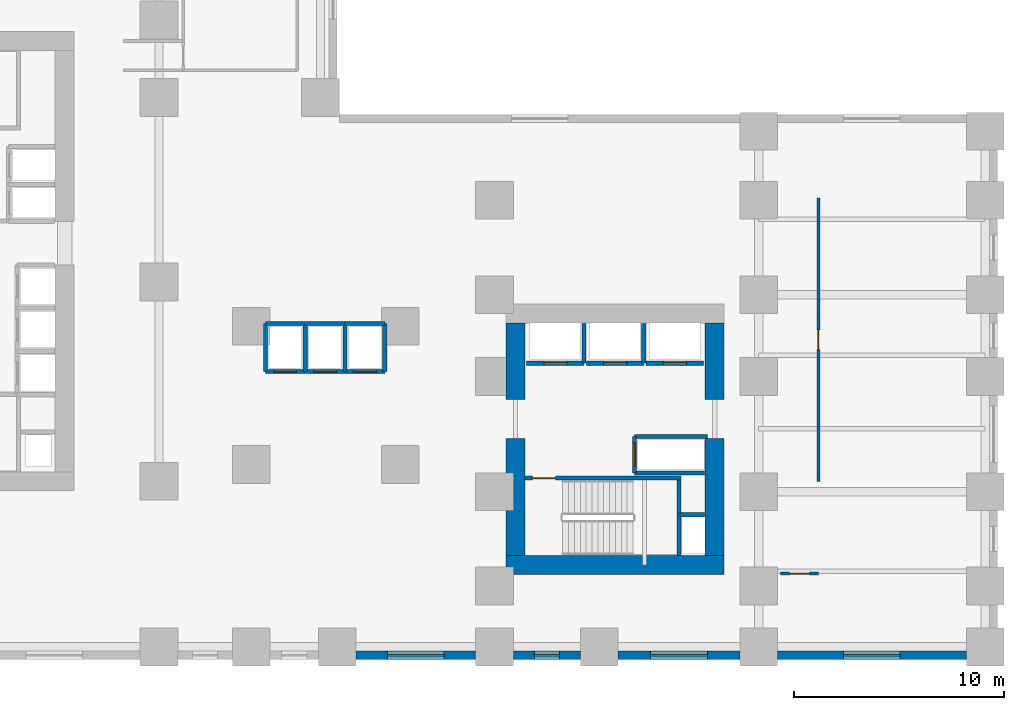
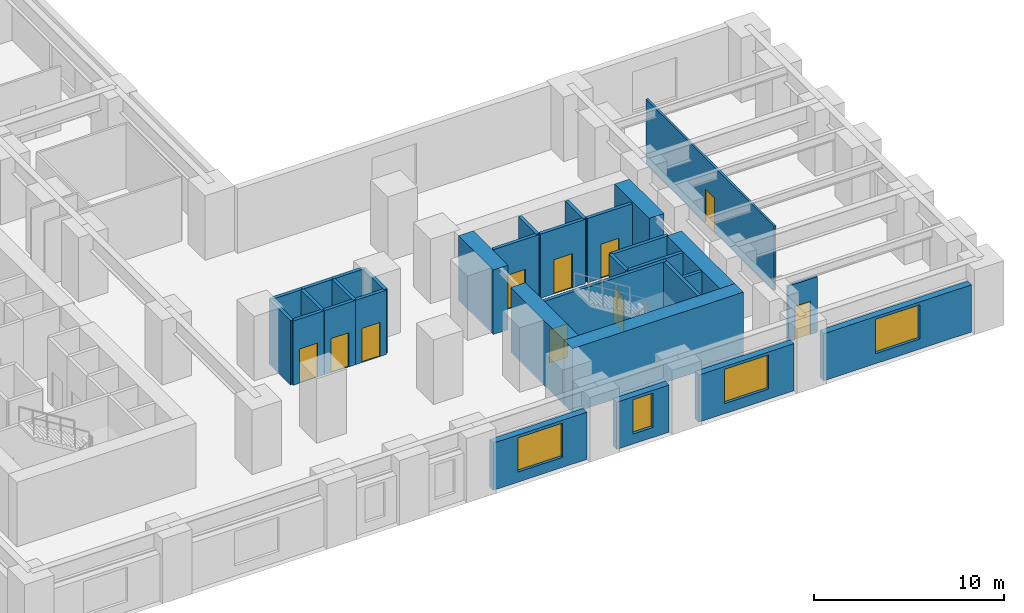
# One storey, part 6 of 11: 32 walls, 10 doors, 4 windows, 14 openings.
"""IFC4 building model written with IfcOpenShell, lengths in metres."""

from ifc_helpers import new_model, si_unit, direction, frame, frame_2d, origin, place, context, subcontext, project, spatial, rectangle, extrude, source, transform, mapped, material, layer, layer_set, type_object, element, fill, save


model = new_model("IFC4")

# Units and contexts
model_context = context("Model", 3, precision=1e-05, world=origin(), true_north=direction((0.0, 1.0)))
body_context = subcontext(model_context, "Body", "Model", "MODEL_VIEW")
ifc_project = project(units=[si_unit("LENGTHUNIT", "METRE"), si_unit("AREAUNIT", "SQUARE_METRE"), si_unit("VOLUMEUNIT", "CUBIC_METRE"), si_unit("PLANEANGLEUNIT", "RADIAN"), si_unit("MASSUNIT", "GRAM", prefix="KILO")], contexts=[model_context])

# Site, building, storey
site_placement = place(None, origin())
site = spatial("IfcSite", under=ifc_project, at=site_placement, CompositionType="ELEMENT")
building_placement = place(site_placement, origin())
building = spatial("IfcBuilding", under=site, at=building_placement, Name="Kharzan Plaza Tower", CompositionType="ELEMENT")
storey_placement = place(building_placement, frame((0.0, 0.0, 13.5)))
storey = spatial("IfcBuildingStorey", under=building, at=storey_placement, Name="L03", CompositionType="ELEMENT", Elevation=13.5)

# Wall, opening, door
ifc_material_1 = material(Name="Fire-Rated Gypsum Board Partition", Category="gypsum")
ifc_layer_1 = layer(ifc_material_1, 0.125)
ifc_layer_set_1 = layer_set([ifc_layer_1], Name="Fire-Rated Gypsum Board Partition")
wall_type_1 = type_object("IfcWallType", Name="WL-INT-PART-125", PredefinedType="PARTITIONING", material=ifc_layer_set_1)
wall_1_placement = place(storey_placement, frame((50.449951171875, 8.5, 0.0), z_axis=(0.0, 0.0, 1.0), x_axis=(0.0, 1.0, 0.0)))
wall_1 = element("IfcWall", 1, at=wall_1_placement, inside=storey, type_object=wall_type_1, Name="L03 Interior Partition L03-W2", PredefinedType="PARTITIONING", context=body_context, shape_type="SweptSolid", body=[
    extrude(rectangle(XDim=13.5, YDim=0.125, at=frame_2d((6.75, 0.0))), origin(), (0.0, 0.0, 1.0), 4.135009765625),
])
opening_1_placement = place(wall_1_placement, frame((6.27490234375, 0.0, 0.0)))
opening_1 = element("IfcOpeningElement", 2, at=opening_1_placement, cuts=wall_1, Name="Opening OD1", PredefinedType="OPENING", context=body_context, shape_type="SweptSolid", body=[
    extrude(rectangle(XDim=0.949951171875, YDim=2.14990234375, at=frame_2d((0.47509765625, 1.074951171875))), frame((0.0, 0.072509765625, 0.0), z_axis=(0.0, -1.0, 0.0), x_axis=(1.0, 0.0, 0.0)), (0.0, 0.0, 1.0), 0.14501953125),
])
ifc_material_2 = material(Name="Acoustic Solid-Core Stained Oak", Category="timber")
door_type_1 = type_object("IfcDoorType", Name="DR-OFF-SINGLE", OperationType="NOTDEFINED", PredefinedType="DOOR", material=ifc_material_2)
shared_shape_1 = source(origin(), body_context, "Body", "SweptSolid", [
    extrude(rectangle(XDim=0.949951171875, YDim=2.14990234375, at=frame_2d((0.47509765625, 1.074951171875))), frame((0.0, 0.02490234375, 0.0), z_axis=(0.0, -1.0, 0.0), x_axis=(1.0, 0.0, 0.0)), (0.0, 0.0, 1.0), 0.050048828125),
])
door_1_placement = place(opening_1_placement, origin())
door_1 = element("IfcDoor", 3, at=door_1_placement, inside=storey, type_object=door_type_1, Name="L03 Training Academy Door", OperationType="SINGLE_SWING_LEFT", OverallHeight=2.14990234375, OverallWidth=0.949951171875, PredefinedType="DOOR", context=body_context, shape_type="MappedRepresentation", body=[
    mapped(shared_shape_1, transform((0.0, 0.0, 0.0), x_axis=(1.0, 0.0, 0.0), y_axis=(0.0, 1.0, 0.0), z_axis=(0.0, 0.0, 1.0))),
])
fill(opening_1, door_1)

wall_2_placement = place(storey_placement, frame((48.64990234375, 4.10009765625, 0.0), z_axis=(0.0, 0.0, 1.0), x_axis=(1.0, 0.0, 0.0)))
wall_2 = element("IfcWall", 4, at=wall_2_placement, inside=storey, type_object=wall_type_1, Name="L03 Interior Partition L03-WS3", PredefinedType="PARTITIONING", context=body_context, shape_type="SweptSolid", body=[
    extrude(rectangle(XDim=1.800048828125, YDim=0.125, at=frame_2d((0.89990234375, 0.0))), origin(), (0.0, 0.0, 1.0), 3.5859375),
])
opening_2_placement = place(wall_2_placement, frame((0.425048828125, 0.0, 0.0)))
opening_2 = element("IfcOpeningElement", 5, at=opening_2_placement, cuts=wall_2, Name="Opening OD1", PredefinedType="OPENING", context=body_context, shape_type="SweptSolid", body=[
    extrude(rectangle(XDim=0.949951171875, YDim=2.14990234375, at=frame_2d((0.47509765625, 1.074951171875))), frame((0.0, 0.072509765625, 0.0), z_axis=(0.0, -1.0, 0.0), x_axis=(1.0, 0.0, 0.0)), (0.0, 0.0, 1.0), 0.14501953125),
])
door_2_placement = place(opening_2_placement, origin())
door_2 = element("IfcDoor", 6, at=door_2_placement, inside=storey, type_object=door_type_1, Name="L03 Breakout Seminar Door", OperationType="SINGLE_SWING_RIGHT", OverallHeight=2.14990234375, OverallWidth=0.949951171875, PredefinedType="DOOR", context=body_context, shape_type="MappedRepresentation", body=[
    mapped(shared_shape_1, transform((0.0, 0.0, 0.0), x_axis=(1.0, 0.0, 0.0), y_axis=(0.0, 1.0, 0.0), z_axis=(0.0, 0.0, 1.0))),
])
fill(opening_2, door_2)

ifc_material_3 = material(Name="Concrete C40/50", Category="concrete")
ifc_layer_2 = layer(ifc_material_3, 0.199951171875)
ifc_layer_set_2 = layer_set([ifc_layer_2], Name="Concrete C40/50")
wall_type_2 = type_object("IfcWallType", Name="WL-INT-SHAFT-200", PredefinedType="PARTITIONING", material=ifc_layer_set_2)
wall_3_placement = place(storey_placement, frame((36.530029296875, 14.1298828125, 0.0), z_axis=(0.0, 0.0, 1.0), x_axis=(1.0, 0.0, 0.0)))
wall_3 = element("IfcWall", 7, at=wall_3_placement, inside=storey, type_object=wall_type_2, Name="L03 Interior Partition SHF-PL-L1-S", PredefinedType="PARTITIONING", context=body_context, shape_type="SweptSolid", body=[
    extrude(rectangle(XDim=2.739990234375, YDim=0.199951171875, at=frame_2d((1.3701171875, 0.0))), origin(), (0.0, 0.0, 1.0), 4.135009765625),
])
opening_3_placement = place(wall_3_placement, frame((0.820068359375, 0.0, 0.0)))
opening_3 = element("IfcOpeningElement", 8, at=opening_3_placement, cuts=wall_3, Name="Opening LD", PredefinedType="OPENING", context=body_context, shape_type="SweptSolid", body=[
    extrude(rectangle(XDim=1.10009765625, YDim=2.199951171875, at=frame_2d((0.550048828125, 1.10009765625))), frame((0.0, 0.10986328125, 0.0), z_axis=(0.0, -1.0, 0.0), x_axis=(1.0, 0.0, 0.0)), (0.0, 0.0, 1.0), 0.219970703125),
])
ifc_material_4 = material(Name="Brushed Stainless Steel", Category="steel")
door_type_2 = type_object("IfcDoorType", Name="DR-LIFT-SLIDE", OperationType="SLIDING_TO_LEFT", PredefinedType="DOOR", material=ifc_material_4)
shared_shape_2 = source(origin(), body_context, "Body", "SweptSolid", [
    extrude(rectangle(XDim=1.10009765625, YDim=2.199951171875, at=frame_2d((0.550048828125, 1.10009765625))), frame((0.0, 0.02490234375, 0.0), z_axis=(0.0, -1.0, 0.0), x_axis=(1.0, 0.0, 0.0)), (0.0, 0.0, 1.0), 0.050048828125),
])
door_3_placement = place(opening_3_placement, origin())
door_3 = element("IfcDoor", 9, at=door_3_placement, inside=storey, type_object=door_type_2, Name="L03 Low-Rise Passenger Lift PL-L1 Sliding Landing Door", OperationType="SLIDING_TO_LEFT", OverallHeight=2.199951171875, OverallWidth=1.10009765625, PredefinedType="DOOR", context=body_context, shape_type="MappedRepresentation", body=[
    mapped(shared_shape_2, transform((0.0, 0.0, 0.0), x_axis=(1.0, 0.0, 0.0), y_axis=(0.0, 1.0, 0.0), z_axis=(0.0, 0.0, 1.0))),
])
fill(opening_3, door_3)

wall_4_placement = place(storey_placement, frame((39.3798828125, 14.1298828125, 0.0), z_axis=(0.0, 0.0, 1.0), x_axis=(1.0, 0.0, 0.0)))
wall_4 = element("IfcWall", 10, at=wall_4_placement, inside=storey, type_object=wall_type_2, Name="L03 Interior Partition SHF-PL-L2-S", PredefinedType="PARTITIONING", context=body_context, shape_type="SweptSolid", body=[
    extrude(rectangle(XDim=2.740234375, YDim=0.199951171875, at=frame_2d((1.3701171875, 0.0))), origin(), (0.0, 0.0, 1.0), 4.135009765625),
])
opening_4_placement = place(wall_4_placement, frame((0.820068359375, 0.0, 0.0)))
opening_4 = element("IfcOpeningElement", 11, at=opening_4_placement, cuts=wall_4, Name="Opening LD", PredefinedType="OPENING", context=body_context, shape_type="SweptSolid", body=[
    extrude(rectangle(XDim=1.10009765625, YDim=2.199951171875, at=frame_2d((0.550048828125, 1.10009765625))), frame((0.0, 0.10986328125, 0.0), z_axis=(0.0, -1.0, 0.0), x_axis=(1.0, 0.0, 0.0)), (0.0, 0.0, 1.0), 0.219970703125),
])
door_4_placement = place(opening_4_placement, origin())
door_4 = element("IfcDoor", 12, at=door_4_placement, inside=storey, type_object=door_type_2, Name="L03 Low-Rise Passenger Lift PL-L2 Sliding Landing Door", OperationType="SLIDING_TO_LEFT", OverallHeight=2.199951171875, OverallWidth=1.10009765625, PredefinedType="DOOR", context=body_context, shape_type="MappedRepresentation", body=[
    mapped(shared_shape_2, transform((0.0, 0.0, 0.0), x_axis=(1.0, 0.0, 0.0), y_axis=(0.0, 1.0, 0.0), z_axis=(0.0, 0.0, 1.0))),
])
fill(opening_4, door_4)

wall_5_placement = place(storey_placement, frame((42.22998046875, 14.1298828125, 0.0), z_axis=(0.0, 0.0, 1.0), x_axis=(1.0, 0.0, 0.0)))
wall_5 = element("IfcWall", 13, at=wall_5_placement, inside=storey, type_object=wall_type_2, Name="L03 Interior Partition SHF-PL-L3-S", PredefinedType="PARTITIONING", context=body_context, shape_type="SweptSolid", body=[
    extrude(rectangle(XDim=2.739990234375, YDim=0.199951171875, at=frame_2d((1.3701171875, 0.0))), origin(), (0.0, 0.0, 1.0), 4.135009765625),
])
opening_5_placement = place(wall_5_placement, frame((0.820068359375, 0.0, 0.0)))
opening_5 = element("IfcOpeningElement", 14, at=opening_5_placement, cuts=wall_5, Name="Opening LD", PredefinedType="OPENING", context=body_context, shape_type="SweptSolid", body=[
    extrude(rectangle(XDim=1.10009765625, YDim=2.199951171875, at=frame_2d((0.550048828125, 1.10009765625))), frame((0.0, 0.10986328125, 0.0), z_axis=(0.0, -1.0, 0.0), x_axis=(1.0, 0.0, 0.0)), (0.0, 0.0, 1.0), 0.219970703125),
])
door_5_placement = place(opening_5_placement, origin())
door_5 = element("IfcDoor", 15, at=door_5_placement, inside=storey, type_object=door_type_2, Name="L03 Low-Rise Passenger Lift PL-L3 Sliding Landing Door", OperationType="SLIDING_TO_LEFT", OverallHeight=2.199951171875, OverallWidth=1.10009765625, PredefinedType="DOOR", context=body_context, shape_type="MappedRepresentation", body=[
    mapped(shared_shape_2, transform((0.0, 0.0, 0.0), x_axis=(1.0, 0.0, 0.0), y_axis=(0.0, 1.0, 0.0), z_axis=(0.0, 0.0, 1.0))),
])
fill(opening_5, door_5)

wall_6_placement = place(storey_placement, frame((24.080078125, 13.72998046875, 0.0), z_axis=(0.0, 0.0, 1.0), x_axis=(1.0, 0.0, 0.0)))
wall_6 = element("IfcWall", 16, at=wall_6_placement, inside=storey, type_object=wall_type_2, Name="L03 Interior Partition SHF-PL-M1-S", PredefinedType="PARTITIONING", context=body_context, shape_type="SweptSolid", body=[
    extrude(rectangle(XDim=1.889892578125, YDim=0.199951171875, at=frame_2d((0.94482421875, 0.0))), origin(), (0.0, 0.0, 1.0), 4.135009765625),
])
opening_6_placement = place(wall_6_placement, frame((0.39501953125, 0.0, 0.0)))
opening_6 = element("IfcOpeningElement", 17, at=opening_6_placement, cuts=wall_6, Name="Opening LD", PredefinedType="OPENING", context=body_context, shape_type="SweptSolid", body=[
    extrude(rectangle(XDim=1.10009765625, YDim=2.199951171875, at=frame_2d((0.550048828125, 1.10009765625))), frame((0.0, 0.10986328125, 0.0), z_axis=(0.0, -1.0, 0.0), x_axis=(1.0, 0.0, 0.0)), (0.0, 0.0, 1.0), 0.219970703125),
])
door_6_placement = place(opening_6_placement, origin())
door_6 = element("IfcDoor", 18, at=door_6_placement, inside=storey, type_object=door_type_2, Name="L03 Mid-Rise Passenger Lift PL-M1 Sliding Landing Door", OperationType="SLIDING_TO_LEFT", OverallHeight=2.199951171875, OverallWidth=1.10009765625, PredefinedType="DOOR", context=body_context, shape_type="MappedRepresentation", body=[
    mapped(shared_shape_2, transform((0.0, 0.0, 0.0), x_axis=(1.0, 0.0, 0.0), y_axis=(0.0, 1.0, 0.0), z_axis=(0.0, 0.0, 1.0))),
])
fill(opening_6, door_6)

wall_7_placement = place(storey_placement, frame((25.97998046875, 13.72998046875, 0.0), z_axis=(0.0, 0.0, 1.0), x_axis=(1.0, 0.0, 0.0)))
wall_7 = element("IfcWall", 19, at=wall_7_placement, inside=storey, type_object=wall_type_2, Name="L03 Interior Partition SHF-PL-M2-S", PredefinedType="PARTITIONING", context=body_context, shape_type="SweptSolid", body=[
    extrude(rectangle(XDim=1.89013671875, YDim=0.199951171875, at=frame_2d((0.945068359375, 0.0))), origin(), (0.0, 0.0, 1.0), 4.135009765625),
])
opening_7_placement = place(wall_7_placement, frame((0.39501953125, 0.0, 0.0)))
opening_7 = element("IfcOpeningElement", 20, at=opening_7_placement, cuts=wall_7, Name="Opening LD", PredefinedType="OPENING", context=body_context, shape_type="SweptSolid", body=[
    extrude(rectangle(XDim=1.10009765625, YDim=2.199951171875, at=frame_2d((0.550048828125, 1.10009765625))), frame((0.0, 0.10986328125, 0.0), z_axis=(0.0, -1.0, 0.0), x_axis=(1.0, 0.0, 0.0)), (0.0, 0.0, 1.0), 0.219970703125),
])
door_7_placement = place(opening_7_placement, origin())
door_7 = element("IfcDoor", 21, at=door_7_placement, inside=storey, type_object=door_type_2, Name="L03 Mid-Rise Passenger Lift PL-M2 Sliding Landing Door", OperationType="SLIDING_TO_LEFT", OverallHeight=2.199951171875, OverallWidth=1.10009765625, PredefinedType="DOOR", context=body_context, shape_type="MappedRepresentation", body=[
    mapped(shared_shape_2, transform((0.0, 0.0, 0.0), x_axis=(1.0, 0.0, 0.0), y_axis=(0.0, 1.0, 0.0), z_axis=(0.0, 0.0, 1.0))),
])
fill(opening_7, door_7)

wall_8_placement = place(storey_placement, frame((27.8798828125, 13.72998046875, 0.0), z_axis=(0.0, 0.0, 1.0), x_axis=(1.0, 0.0, 0.0)))
wall_8 = element("IfcWall", 22, at=wall_8_placement, inside=storey, type_object=wall_type_2, Name="L03 Interior Partition SHF-PL-M3-S", PredefinedType="PARTITIONING", context=body_context, shape_type="SweptSolid", body=[
    extrude(rectangle(XDim=1.89013671875, YDim=0.199951171875, at=frame_2d((0.945068359375, 0.0))), origin(), (0.0, 0.0, 1.0), 4.135009765625),
])
opening_8_placement = place(wall_8_placement, frame((0.39501953125, 0.0, 0.0)))
opening_8 = element("IfcOpeningElement", 23, at=opening_8_placement, cuts=wall_8, Name="Opening LD", PredefinedType="OPENING", context=body_context, shape_type="SweptSolid", body=[
    extrude(rectangle(XDim=1.10009765625, YDim=2.199951171875, at=frame_2d((0.550048828125, 1.10009765625))), frame((0.0, 0.10986328125, 0.0), z_axis=(0.0, -1.0, 0.0), x_axis=(1.0, 0.0, 0.0)), (0.0, 0.0, 1.0), 0.219970703125),
])
door_8_placement = place(opening_8_placement, origin())
door_8 = element("IfcDoor", 24, at=door_8_placement, inside=storey, type_object=door_type_2, Name="L03 Mid-Rise Passenger Lift PL-M3 Sliding Landing Door", OperationType="SLIDING_TO_LEFT", OverallHeight=2.199951171875, OverallWidth=1.10009765625, PredefinedType="DOOR", context=body_context, shape_type="MappedRepresentation", body=[
    mapped(shared_shape_2, transform((0.0, 0.0, 0.0), x_axis=(1.0, 0.0, 0.0), y_axis=(0.0, 1.0, 0.0), z_axis=(0.0, 0.0, 1.0))),
])
fill(opening_8, door_8)

wall_9_placement = place(storey_placement, frame((41.679931640625, 8.89990234375, 0.0), z_axis=(0.0, 0.0, 1.0), x_axis=(0.0, 1.0, 0.0)))
wall_9 = element("IfcWall", 25, at=wall_9_placement, inside=storey, type_object=wall_type_2, Name="L03 Interior Partition SHF-SVL-2-W", PredefinedType="PARTITIONING", context=body_context, shape_type="SweptSolid", body=[
    extrude(rectangle(XDim=1.739990234375, YDim=0.199951171875, at=frame_2d((0.8701171875, 0.0))), origin(), (0.0, 0.0, 1.0), 4.135009765625),
])
opening_9_placement = place(wall_9_placement, frame((0.320068359375, 0.0, 0.0)))
opening_9 = element("IfcOpeningElement", 26, at=opening_9_placement, cuts=wall_9, Name="Opening LD", PredefinedType="OPENING", context=body_context, shape_type="SweptSolid", body=[
    extrude(rectangle(XDim=1.10009765625, YDim=2.199951171875, at=frame_2d((0.550048828125, 1.10009765625))), frame((0.0, 0.10986328125, 0.0), z_axis=(0.0, -1.0, 0.0), x_axis=(1.0, 0.0, 0.0)), (0.0, 0.0, 1.0), 0.219970703125),
])
door_9_placement = place(opening_9_placement, origin())
door_9 = element("IfcDoor", 27, at=door_9_placement, inside=storey, type_object=door_type_2, Name="L03 Service Lift SVL-2 Sliding Landing Door", OperationType="SLIDING_TO_LEFT", OverallHeight=2.199951171875, OverallWidth=1.10009765625, PredefinedType="DOOR", context=body_context, shape_type="MappedRepresentation", body=[
    mapped(shared_shape_2, transform((0.0, 0.0, 0.0), x_axis=(1.0, 0.0, 0.0), y_axis=(0.0, 1.0, 0.0), z_axis=(0.0, 0.0, 1.0))),
])
fill(opening_9, door_9)

# Wall, opening, window
ifc_layer_3 = layer(ifc_material_3, 0.39990234375)
ifc_layer_set_3 = layer_set([ifc_layer_3], Name="Concrete C40/50")
wall_type_3 = type_object("IfcWallType", Name="WL-POD-MAS-400", PredefinedType="SOLIDWALL", material=ifc_layer_set_3)
wall_10_placement = place(storey_placement, frame((28.39794921875, 0.199951171875, 0.0), z_axis=(0.0, 0.0, 1.0), x_axis=(1.0, 0.0, 0.0)))
wall_10 = element("IfcWall", 28, at=wall_10_placement, inside=storey, type_object=wall_type_3, Name="L03 Masonry-Frame Exterior Wall 20", PredefinedType="SOLIDWALL", context=body_context, shape_type="SweptSolid", body=[
    extrude(rectangle(XDim=5.7041015625, YDim=0.39990234375, at=frame_2d((2.85205078125, 0.0))), origin(), (0.0, 0.0, 1.0), 3.034912109375),
])
opening_10_placement = place(wall_10_placement, frame((1.501953125, 0.0, 0.64990234375)))
opening_10 = element("IfcOpeningElement", 29, at=opening_10_placement, cuts=wall_10, Name="Opening W4", PredefinedType="OPENING", context=body_context, shape_type="SweptSolid", body=[
    extrude(rectangle(XDim=2.699951171875, YDim=2.205078125, at=frame_2d((1.35009765625, 1.1025390625))), frame((0.0, 0.2099609375, 0.0), z_axis=(0.0, -1.0, 0.0), x_axis=(1.0, 0.0, 0.0)), (0.0, 0.0, 1.0), 0.419921875),
])
ifc_material_5 = material(Name="Low-E Double Glazing", Category="glass")
window_type_1 = type_object("IfcWindowType", Name="WN-POD-2700x2600", PartitioningType="SINGLE_PANEL", PredefinedType="WINDOW", material=ifc_material_5)
shared_shape_3 = source(origin(), body_context, "Body", "SweptSolid", [
    extrude(rectangle(XDim=2.699951171875, YDim=2.205078125, at=frame_2d((1.35009765625, 1.1025390625))), frame((0.0, 0.030029296875, 0.0), z_axis=(0.0, -1.0, 0.0), x_axis=(1.0, 0.0, 0.0)), (0.0, 0.0, 1.0), 0.06005859375),
])
window_1_placement = place(opening_10_placement, origin())
window_1 = element("IfcWindow", 30, at=window_1_placement, inside=storey, type_object=window_type_1, Name="L03 Recessed Solar-Control Window 20-1", OverallHeight=2.205078125, OverallWidth=2.699951171875, PartitioningType="SINGLE_PANEL", PredefinedType="WINDOW", context=body_context, shape_type="MappedRepresentation", body=[
    mapped(shared_shape_3, transform((0.0, 0.0, 0.0), x_axis=(1.0, 0.0, 0.0), y_axis=(0.0, 1.0, 0.0), z_axis=(0.0, 0.0, 1.0))),
])
fill(opening_10, window_1)

wall_11_placement = place(storey_placement, frame((35.89794921875, 0.199951171875, 0.0), z_axis=(0.0, 0.0, 1.0), x_axis=(1.0, 0.0, 0.0)))
wall_11 = element("IfcWall", 31, at=wall_11_placement, inside=storey, type_object=wall_type_3, Name="L03 Masonry-Frame Exterior Wall 21", PredefinedType="SOLIDWALL", context=body_context, shape_type="SweptSolid", body=[
    extrude(rectangle(XDim=3.2041015625, YDim=0.39990234375, at=frame_2d((1.60205078125, 0.0))), origin(), (0.0, 0.0, 1.0), 3.034912109375),
])
opening_11_placement = place(wall_11_placement, frame((1.001953125, 0.0, 0.64990234375)))
opening_11 = element("IfcOpeningElement", 32, at=opening_11_placement, cuts=wall_11, Name="Opening W3", PredefinedType="OPENING", context=body_context, shape_type="SweptSolid", body=[
    extrude(rectangle(XDim=1.199951171875, YDim=2.205078125, at=frame_2d((0.60009765625, 1.1025390625))), frame((0.0, 0.2099609375, 0.0), z_axis=(0.0, -1.0, 0.0), x_axis=(1.0, 0.0, 0.0)), (0.0, 0.0, 1.0), 0.419921875),
])
window_type_2 = type_object("IfcWindowType", Name="WN-REC-1200x2100", PartitioningType="SINGLE_PANEL", PredefinedType="WINDOW", material=ifc_material_5)
shared_shape_4 = source(origin(), body_context, "Body", "SweptSolid", [
    extrude(rectangle(XDim=1.199951171875, YDim=2.205078125, at=frame_2d((0.60009765625, 1.1025390625))), frame((0.0, 0.030029296875, 0.0), z_axis=(0.0, -1.0, 0.0), x_axis=(1.0, 0.0, 0.0)), (0.0, 0.0, 1.0), 0.06005859375),
])
window_2_placement = place(opening_11_placement, origin())
window_2 = element("IfcWindow", 33, at=window_2_placement, inside=storey, type_object=window_type_2, Name="L03 Recessed Solar-Control Window 21-1", OverallHeight=2.205078125, OverallWidth=1.199951171875, PartitioningType="SINGLE_PANEL", PredefinedType="WINDOW", context=body_context, shape_type="MappedRepresentation", body=[
    mapped(shared_shape_4, transform((0.0, 0.0, 0.0), x_axis=(1.0, 0.0, 0.0), y_axis=(0.0, 1.0, 0.0), z_axis=(0.0, 0.0, 1.0))),
])
fill(opening_11, window_2)

wall_12_placement = place(storey_placement, frame((40.89794921875, 0.199951171875, 0.0), z_axis=(0.0, 0.0, 1.0), x_axis=(1.0, 0.0, 0.0)))
wall_12 = element("IfcWall", 34, at=wall_12_placement, inside=storey, type_object=wall_type_3, Name="L03 Masonry-Frame Exterior Wall 22", PredefinedType="SOLIDWALL", context=body_context, shape_type="SweptSolid", body=[
    extrude(rectangle(XDim=5.803955078125, YDim=0.39990234375, at=frame_2d((2.90185546875, 0.0))), origin(), (0.0, 0.0, 1.0), 3.034912109375),
])
opening_12_placement = place(wall_12_placement, frame((1.552001953125, 0.0, 0.64990234375)))
opening_12 = element("IfcOpeningElement", 35, at=opening_12_placement, cuts=wall_12, Name="Opening W4", PredefinedType="OPENING", context=body_context, shape_type="SweptSolid", body=[
    extrude(rectangle(XDim=2.699951171875, YDim=2.205078125, at=frame_2d((1.35009765625, 1.1025390625))), frame((0.0, 0.2099609375, 0.0), z_axis=(0.0, -1.0, 0.0), x_axis=(1.0, 0.0, 0.0)), (0.0, 0.0, 1.0), 0.419921875),
])
window_3_placement = place(opening_12_placement, origin())
window_3 = element("IfcWindow", 36, at=window_3_placement, inside=storey, type_object=window_type_1, Name="L03 Recessed Solar-Control Window 22-1", OverallHeight=2.205078125, OverallWidth=2.699951171875, PartitioningType="SINGLE_PANEL", PredefinedType="WINDOW", context=body_context, shape_type="MappedRepresentation", body=[
    mapped(shared_shape_3, transform((0.0, 0.0, 0.0), x_axis=(1.0, 0.0, 0.0), y_axis=(0.0, 1.0, 0.0), z_axis=(0.0, 0.0, 1.0))),
])
fill(opening_12, window_3)

wall_13_placement = place(storey_placement, frame((48.498046875, 0.199951171875, 0.0), z_axis=(0.0, 0.0, 1.0), x_axis=(1.0, 0.0, 0.0)))
wall_13 = element("IfcWall", 37, at=wall_13_placement, inside=storey, type_object=wall_type_3, Name="L03 Masonry-Frame Exterior Wall 23", PredefinedType="SOLIDWALL", context=body_context, shape_type="SweptSolid", body=[
    extrude(rectangle(XDim=9.00390625, YDim=0.39990234375, at=frame_2d((4.501953125, 0.0))), origin(), (0.0, 0.0, 1.0), 3.034912109375),
])
opening_13_placement = place(wall_13_placement, frame((3.152099609375, 0.0, 0.64990234375)))
opening_13 = element("IfcOpeningElement", 38, at=opening_13_placement, cuts=wall_13, Name="Opening W4", PredefinedType="OPENING", context=body_context, shape_type="SweptSolid", body=[
    extrude(rectangle(XDim=2.699951171875, YDim=2.205078125, at=frame_2d((1.35009765625, 1.1025390625))), frame((0.0, 0.2099609375, 0.0), z_axis=(0.0, -1.0, 0.0), x_axis=(1.0, 0.0, 0.0)), (0.0, 0.0, 1.0), 0.419921875),
])
window_4_placement = place(opening_13_placement, origin())
window_4 = element("IfcWindow", 39, at=window_4_placement, inside=storey, type_object=window_type_1, Name="L03 Recessed Solar-Control Window 23-1", OverallHeight=2.205078125, OverallWidth=2.699951171875, PartitioningType="SINGLE_PANEL", PredefinedType="WINDOW", context=body_context, shape_type="MappedRepresentation", body=[
    mapped(shared_shape_3, transform((0.0, 0.0, 0.0), x_axis=(1.0, 0.0, 0.0), y_axis=(0.0, 1.0, 0.0), z_axis=(0.0, 0.0, 1.0))),
])
fill(opening_13, window_4)

# Wall, opening, door
ifc_material_6 = material(Name="Concrete C50/60", Category="concrete")
ifc_layer_4 = layer(ifc_material_6, 0.199951171875)
ifc_layer_set_4 = layer_set([ifc_layer_4], Name="Concrete C50/60")
wall_type_4 = type_object("IfcWallType", Name="WL-SHAFT-RC200", PredefinedType="SHEAR", material=ifc_layer_set_4)
wall_14_placement = place(storey_placement, frame((36.451904296875, 8.655029296875, 0.0), z_axis=(0.0, 0.0, 1.0), x_axis=(1.0, 0.0, 0.0)))
wall_14 = element("IfcWall", 40, at=wall_14_placement, inside=storey, type_object=wall_type_4, Name="L03 Stair ST-3 North RC Shaft Wall", PredefinedType="SHEAR", context=body_context, shape_type="SweptSolid", body=[
    extrude(rectangle(XDim=7.453125, YDim=0.199951171875, at=frame_2d((3.7265625, 0.0))), origin(), (0.0, 0.0, 1.0), 4.14990234375),
])
opening_14_placement = place(wall_14_placement, frame((0.35009765625, 0.0, 0.0)))
opening_14 = element("IfcOpeningElement", 41, at=opening_14_placement, cuts=wall_14, Name="Opening SD1", PredefinedType="OPENING", context=body_context, shape_type="SweptSolid", body=[
    extrude(rectangle(XDim=1.10009765625, YDim=2.14990234375, at=frame_2d((0.550048828125, 1.074951171875))), frame((0.0, 0.10986328125, 0.0), z_axis=(0.0, -1.0, 0.0), x_axis=(1.0, 0.0, 0.0)), (0.0, 0.0, 1.0), 0.219970703125),
])
ifc_material_7 = material(Name="Fire-Rated Hollow Galvanized Steel", Category="steel")
door_type_3 = type_object("IfcDoorType", Name="DR-STAIR-FD120", OperationType="NOTDEFINED", PredefinedType="DOOR", material=ifc_material_7)
shared_shape_5 = source(origin(), body_context, "Body", "SweptSolid", [
    extrude(rectangle(XDim=1.10009765625, YDim=2.14990234375, at=frame_2d((0.550048828125, 1.074951171875))), frame((0.0, 0.02490234375, 0.0), z_axis=(0.0, -1.0, 0.0), x_axis=(1.0, 0.0, 0.0)), (0.0, 0.0, 1.0), 0.050048828125),
])
door_10_placement = place(opening_14_placement, origin())
door_10 = element("IfcDoor", 42, at=door_10_placement, inside=storey, type_object=door_type_3, Name="L03 Stair ST-3 Fire Exit Door", OperationType="SINGLE_SWING_RIGHT", OverallHeight=2.14990234375, OverallWidth=1.10009765625, PredefinedType="DOOR", context=body_context, shape_type="MappedRepresentation", body=[
    mapped(shared_shape_5, transform((0.0, 0.0, 0.0), x_axis=(1.0, 0.0, 0.0), y_axis=(0.0, 1.0, 0.0), z_axis=(0.0, 0.0, 1.0))),
])
fill(opening_14, door_10)

# Walls
ifc_material_8 = material(Name="Concrete C60/75", Category="concrete")
ifc_layer_5 = layer(ifc_material_8, 0.89990234375)
ifc_layer_set_5 = layer_set([ifc_layer_5], Name="Concrete C60/75")
wall_type_5 = type_object("IfcWallType", Name="WL-CORE-900", PredefinedType="SHEAR", material=ifc_layer_set_5)
shared_shape_6 = source(origin(), body_context, "Body", "SweptSolid", [
    extrude(rectangle(XDim=5.60009765625, YDim=0.89990234375, at=frame_2d((2.800048828125, 0.0))), origin(), (0.0, 0.0, 1.0), 4.14990234375),
])
for number, where, z_axis, x_axis, name in (
    (43, (45.5, 4.949951171875, 0.0), (0.0, 0.0, 1.0), (0.0, 1.0, 0.0), "L03 CORE-B east shear pier 1"),
    (44, (36.0, 4.949951171875, 0.0), (0.0, 0.0, 1.0), (0.0, 1.0, 0.0), "L03 CORE-B west shear pier 1"),
):
    element("IfcWall", number, at=place(storey_placement, frame(where, z_axis=z_axis, x_axis=x_axis)), inside=storey, type_object=wall_type_5, Name=name, PredefinedType="SHEAR", context=body_context, shape_type="MappedRepresentation", body=[
        mapped(shared_shape_6, transform((0.0, 0.0, 0.0), x_axis=(1.0, 0.0, 0.0), y_axis=(0.0, 1.0, 0.0), z_axis=(0.0, 0.0, 1.0))),
    ])
shared_shape_7 = source(origin(), body_context, "Body", "SweptSolid", [
    extrude(rectangle(XDim=3.650146484375, YDim=0.89990234375, at=frame_2d((1.8251953125, 0.0))), origin(), (0.0, 0.0, 1.0), 4.14990234375),
])
for number, where, z_axis, x_axis, name in (
    (45, (45.5, 12.39990234375, 0.0), (0.0, 0.0, 1.0), (0.0, 1.0, 0.0), "L03 CORE-B east shear pier 2"),
    (46, (36.0, 12.39990234375, 0.0), (0.0, 0.0, 1.0), (0.0, 1.0, 0.0), "L03 CORE-B west shear pier 2"),
):
    element("IfcWall", number, at=place(storey_placement, frame(where, z_axis=z_axis, x_axis=x_axis)), inside=storey, type_object=wall_type_5, Name=name, PredefinedType="SHEAR", context=body_context, shape_type="MappedRepresentation", body=[
        mapped(shared_shape_7, transform((0.0, 0.0, 0.0), x_axis=(1.0, 0.0, 0.0), y_axis=(0.0, 1.0, 0.0), z_axis=(0.0, 0.0, 1.0))),
    ])
shared_shape_8 = source(origin(), body_context, "Body", "SweptSolid", [
    extrude(rectangle(XDim=10.39990234375, YDim=0.89990234375, at=frame_2d((5.199951171875, 0.0))), origin(), (0.0, 0.0, 1.0), 4.14990234375),
])
wall_15_placement = place(storey_placement, frame((35.550048828125, 4.5, 0.0), z_axis=(0.0, 0.0, 1.0), x_axis=(1.0, 0.0, 0.0)))
element("IfcWall", 47, at=wall_15_placement, inside=storey, type_object=wall_type_5, Name="L03 CORE-B south RC shear wall", PredefinedType="SHEAR", context=body_context, shape_type="MappedRepresentation", body=[
    mapped(shared_shape_8, transform((0.0, 0.0, 0.0), x_axis=(1.0, 0.0, 0.0), y_axis=(0.0, 1.0, 0.0), z_axis=(0.0, 0.0, 1.0))),
])
shared_shape_9 = source(origin(), body_context, "Body", "SweptSolid", [
    extrude(rectangle(XDim=1.169921875, YDim=0.199951171875, at=frame_2d((0.5849609375, 0.0))), origin(), (0.0, 0.0, 1.0), 4.135009765625),
])
wall_16_placement = place(storey_placement, frame((43.85009765625, 6.89990234375, 0.0), z_axis=(0.0, 0.0, 1.0), x_axis=(1.0, 0.0, 0.0)))
element("IfcWall", 48, at=wall_16_placement, inside=storey, type_object=wall_type_2, Name="L03 Interior Partition CB-RSRB-N", PredefinedType="PARTITIONING", context=body_context, shape_type="MappedRepresentation", body=[
    mapped(shared_shape_9, transform((0.0, 0.0, 0.0), x_axis=(1.0, 0.0, 0.0), y_axis=(0.0, 1.0, 0.0), z_axis=(0.0, 0.0, 1.0))),
])
shared_shape_10 = source(origin(), body_context, "Body", "SweptSolid", [
    extrude(rectangle(XDim=1.89013671875, YDim=0.199951171875, at=frame_2d((0.945068359375, 0.0))), origin(), (0.0, 0.0, 1.0), 4.135009765625),
])
for number, where, z_axis, x_axis, name in (
    (49, (39.27001953125, 14.1298828125, 0.0), (0.0, 0.0, 1.0), (0.0, 1.0, 0.0), "L03 Interior Partition SHF-PL-L1-E"),
    (50, (42.1201171875, 14.1298828125, 0.0), (0.0, 0.0, 1.0), (0.0, 1.0, 0.0), "L03 Interior Partition SHF-PL-L2-E"),
    (51, (25.97998046875, 16.02001953125, 0.0), (0.0, 0.0, 1.0), (1.0, 0.0, 0.0), "L03 Interior Partition SHF-PL-M2-N"),
    (52, (27.8798828125, 16.02001953125, 0.0), (0.0, 0.0, 1.0), (1.0, 0.0, 0.0), "L03 Interior Partition SHF-PL-M3-N"),
):
    element("IfcWall", number, at=place(storey_placement, frame(where, z_axis=z_axis, x_axis=x_axis)), inside=storey, type_object=wall_type_2, Name=name, PredefinedType="PARTITIONING", context=body_context, shape_type="MappedRepresentation", body=[
        mapped(shared_shape_10, transform((0.0, 0.0, 0.0), x_axis=(1.0, 0.0, 0.0), y_axis=(0.0, 1.0, 0.0), z_axis=(0.0, 0.0, 1.0))),
    ])
shared_shape_11 = source(origin(), body_context, "Body", "SweptSolid", [
    extrude(rectangle(XDim=2.2900390625, YDim=0.199951171875, at=frame_2d((1.14501953125, 0.0))), origin(), (0.0, 0.0, 1.0), 4.135009765625),
])
for number, where, z_axis, x_axis, name in (
    (53, (25.969970703125, 13.72998046875, 0.0), (0.0, 0.0, 1.0), (0.0, 1.0, 0.0), "L03 Interior Partition SHF-PL-M1-E"),
    (54, (24.080078125, 13.72998046875, 0.0), (0.0, 0.0, 1.0), (0.0, 1.0, 0.0), "L03 Interior Partition SHF-PL-M1-W"),
    (55, (27.8701171875, 13.72998046875, 0.0), (0.0, 0.0, 1.0), (0.0, 1.0, 0.0), "L03 Interior Partition SHF-PL-M2-E"),
    (56, (29.77001953125, 13.72998046875, 0.0), (0.0, 0.0, 1.0), (0.0, 1.0, 0.0), "L03 Interior Partition SHF-PL-M3-E"),
):
    element("IfcWall", number, at=place(storey_placement, frame(where, z_axis=z_axis, x_axis=x_axis)), inside=storey, type_object=wall_type_2, Name=name, PredefinedType="PARTITIONING", context=body_context, shape_type="MappedRepresentation", body=[
        mapped(shared_shape_11, transform((0.0, 0.0, 0.0), x_axis=(1.0, 0.0, 0.0), y_axis=(0.0, 1.0, 0.0), z_axis=(0.0, 0.0, 1.0))),
    ])
shared_shape_12 = source(origin(), body_context, "Body", "SweptSolid", [
    extrude(rectangle(XDim=1.889892578125, YDim=0.199951171875, at=frame_2d((0.94482421875, 0.0))), origin(), (0.0, 0.0, 1.0), 4.135009765625),
])
wall_17_placement = place(storey_placement, frame((24.080078125, 16.02001953125, 0.0), z_axis=(0.0, 0.0, 1.0), x_axis=(1.0, 0.0, 0.0)))
element("IfcWall", 57, at=wall_17_placement, inside=storey, type_object=wall_type_2, Name="L03 Interior Partition SHF-PL-M1-N", PredefinedType="PARTITIONING", context=body_context, shape_type="MappedRepresentation", body=[
    mapped(shared_shape_12, transform((0.0, 0.0, 0.0), x_axis=(1.0, 0.0, 0.0), y_axis=(0.0, 1.0, 0.0), z_axis=(0.0, 0.0, 1.0))),
])
shared_shape_13 = source(origin(), body_context, "Body", "SweptSolid", [
    extrude(rectangle(XDim=3.489990234375, YDim=0.199951171875, at=frame_2d((1.7451171875, 0.0))), origin(), (0.0, 0.0, 1.0), 4.135009765625),
])
wall_18_placement = place(storey_placement, frame((41.679931640625, 10.639892578125, 0.0), z_axis=(0.0, 0.0, 1.0), x_axis=(1.0, 0.0, 0.0)))
element("IfcWall", 58, at=wall_18_placement, inside=storey, type_object=wall_type_2, Name="L03 Interior Partition SHF-SVL-2-N", PredefinedType="PARTITIONING", context=body_context, shape_type="MappedRepresentation", body=[
    mapped(shared_shape_13, transform((0.0, 0.0, 0.0), x_axis=(1.0, 0.0, 0.0), y_axis=(0.0, 1.0, 0.0), z_axis=(0.0, 0.0, 1.0))),
])
shared_shape_14 = source(origin(), body_context, "Body", "SweptSolid", [
    extrude(rectangle(XDim=3.340087890625, YDim=0.199951171875, at=frame_2d((1.669921875, 0.0))), origin(), (0.0, 0.0, 1.0), 4.135009765625),
])
wall_19_placement = place(storey_placement, frame((41.679931640625, 8.89990234375, 0.0), z_axis=(0.0, 0.0, 1.0), x_axis=(1.0, 0.0, 0.0)))
element("IfcWall", 59, at=wall_19_placement, inside=storey, type_object=wall_type_2, Name="L03 Interior Partition SHF-SVL-2-S", PredefinedType="PARTITIONING", context=body_context, shape_type="MappedRepresentation", body=[
    mapped(shared_shape_14, transform((0.0, 0.0, 0.0), x_axis=(1.0, 0.0, 0.0), y_axis=(0.0, 1.0, 0.0), z_axis=(0.0, 0.0, 1.0))),
])
shared_shape_15 = source(origin(), body_context, "Body", "SweptSolid", [
    extrude(rectangle(XDim=3.60302734375, YDim=0.199951171875, at=frame_2d((1.801513671875, 0.0))), origin(), (0.0, 0.0, 1.0), 4.14990234375),
])
wall_20_placement = place(storey_placement, frame((43.804931640625, 4.951904296875, 0.0), z_axis=(0.0, 0.0, 1.0), x_axis=(0.0, 1.0, 0.0)))
element("IfcWall", 60, at=wall_20_placement, inside=storey, type_object=wall_type_4, Name="L03 Stair ST-3 East RC Shaft Wall", PredefinedType="SHEAR", context=body_context, shape_type="MappedRepresentation", body=[
    mapped(shared_shape_15, transform((0.0, 0.0, 0.0), x_axis=(1.0, 0.0, 0.0), y_axis=(0.0, 1.0, 0.0), z_axis=(0.0, 0.0, 1.0))),
])

save(model, "model.ifc")
